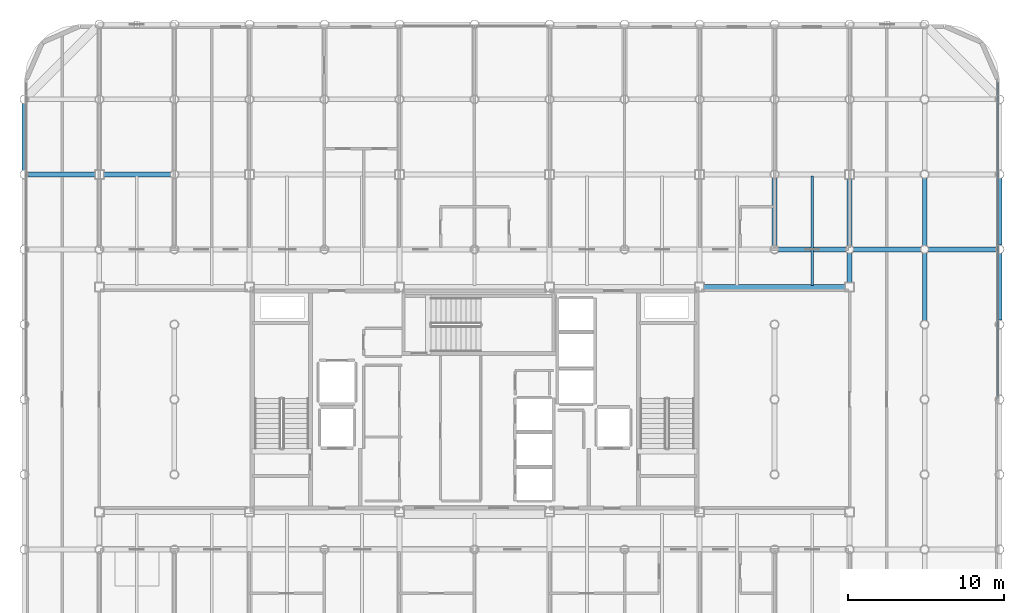
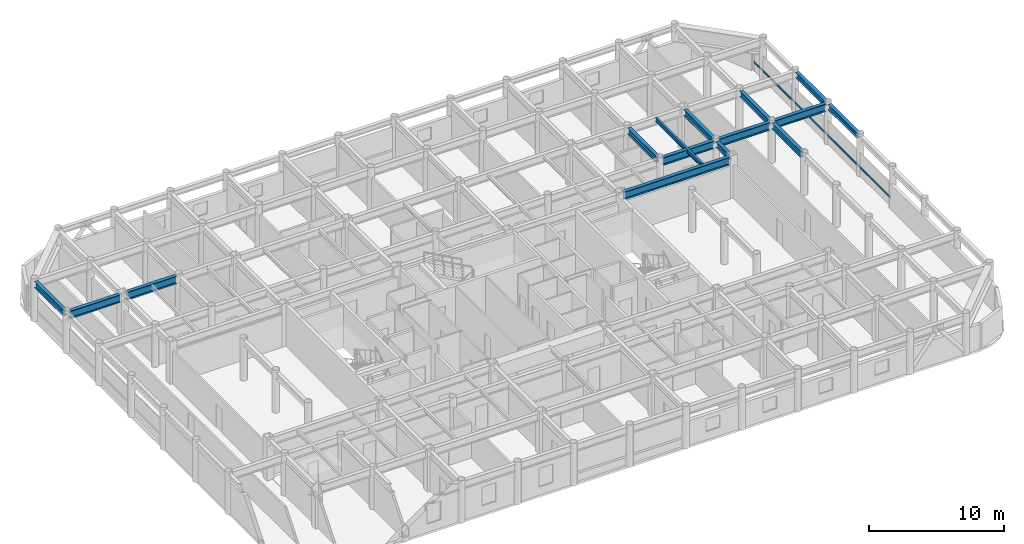
# One storey, part 11 of 24: 15 beams, 1 member, 1 element without a shape of its own.
"""IFC4 building model written with IfcOpenShell, lengths in metres."""

from ifc_helpers import new_model, si_unit, direction, frame, origin, origin_2d, place, context, subcontext, project, spatial, hollow_rectangle, i_section, extrude, material, layer, layer_set, material_profile, profile_set, type_object, element, aggregate, save


model = new_model("IFC4")

# Units and contexts
model_context = context("Model", 3, precision=1e-05, world=origin(), true_north=direction((0.0, 1.0)))
body_context = subcontext(model_context, "Body", "Model", "MODEL_VIEW")
ifc_project = project(units=[si_unit("LENGTHUNIT", "METRE"), si_unit("AREAUNIT", "SQUARE_METRE"), si_unit("VOLUMEUNIT", "CUBIC_METRE"), si_unit("PLANEANGLEUNIT", "RADIAN"), si_unit("MASSUNIT", "GRAM", prefix="KILO")], contexts=[model_context])

# Site, building, storey
site_placement = place(None, origin())
site = spatial("IfcSite", under=ifc_project, at=site_placement, CompositionType="ELEMENT")
building_placement = place(site_placement, origin())
building = spatial("IfcBuilding", under=site, at=building_placement, Name="Kallvorn Hotel Tower", CompositionType="ELEMENT")
storey_placement = place(building_placement, frame((0.0, 0.0, 233.85009765625)))
storey = spatial("IfcBuildingStorey", under=building, at=storey_placement, Name="L58", CompositionType="ELEMENT", Elevation=233.85009765625)

# Beams
ifc_material_1 = material(Name="Structural steel S355JR", Category="steel")
ifc_material_profile_1 = material_profile(ifc_material_1, i_section(OverallWidth=0.300048828125, OverallDepth=0.5, WebThickness=0.014404296875, FlangeThickness=0.028076171875, at=origin_2d()), Name="HE 500 B")
ifc_profile_set_1 = profile_set([ifc_material_profile_1], Name="Structural steel S355JR")
beam_type_1 = type_object("IfcBeamType", Name="BM_HE500B", PredefinedType="SPANDREL", material=ifc_profile_set_1)
beam_1_placement = place(storey_placement, frame((33.60009765625, 5.069580078125, 3.419921875), z_axis=(0.0, 1.0, 0.0), x_axis=(-1.0, 0.0, 0.0)))
element("IfcBeam", 1, at=beam_1_placement, inside=storey, type_object=beam_type_1, Name="L59 Perimeter Spandrel 186", PredefinedType="SPANDREL", context=body_context, shape_type="SweptSolid", body=[
    extrude(i_section(OverallWidth=0.300048828125, OverallDepth=0.5, WebThickness=0.014404296875, FlangeThickness=0.028076171875, at=origin_2d()), origin(), (0.0, 0.0, 1.0), 4.260986328125),
])
beam_2_placement = place(storey_placement, frame((33.60009765625, 9.869384765625, 3.419921875), z_axis=(0.0, 1.0, 0.0), x_axis=(-1.0, 0.0, 0.0)))
element("IfcBeam", 2, at=beam_2_placement, inside=storey, type_object=beam_type_1, Name="L59 Perimeter Spandrel 187", PredefinedType="SPANDREL", context=body_context, shape_type="SweptSolid", body=[
    extrude(i_section(OverallWidth=0.300048828125, OverallDepth=0.5, WebThickness=0.014404296875, FlangeThickness=0.028076171875, at=origin_2d()), origin(), (0.0, 0.0, 1.0), 4.26123046875),
])
ifc_material_2 = material(Name="Structural steel S355JR", Category="steel")
ifc_material_profile_2 = material_profile(ifc_material_2, i_section(OverallWidth=0.300048828125, OverallDepth=0.550048828125, WebThickness=0.014892578125, FlangeThickness=0.029052734375, at=origin_2d()), Name="HE 550 B")
ifc_profile_set_2 = profile_set([ifc_material_profile_2], Name="Structural steel S355JR")
beam_type_2 = type_object("IfcBeamType", Name="BM_HE550B", PredefinedType="SPANDREL", material=ifc_profile_set_2)
for number, where, z_axis, x_axis, name in (
    (3, (-28.800048828125, 14.654541015625, 3.39501953125), (0.0, 1.0, 0.0), (-1.0, 0.0, 0.0), "L59 Primary Y-Girder 80"),
    (4, (19.199951171875, 9.8544921875, 3.39501953125), (0.0, 1.0, 0.0), (-1.0, 0.0, 0.0), "L59 Primary Y-Girder 132"),
):
    element("IfcBeam", number, at=place(storey_placement, frame(where, z_axis=z_axis, x_axis=x_axis)), inside=storey, type_object=beam_type_2, Name=name, PredefinedType="SPANDREL", context=body_context, shape_type="SweptSolid", body=[
        extrude(i_section(OverallWidth=0.300048828125, OverallDepth=0.550048828125, WebThickness=0.014892578125, FlangeThickness=0.029052734375, at=origin_2d()), origin(), (0.0, 0.0, 1.0), 4.291015625),
    ])
beam_3_placement = place(storey_placement, frame((24.0, 7.47509765625, 3.39501953125), z_axis=(0.0, 1.0, 0.0), x_axis=(-1.0, 0.0, 0.0)))
element("IfcBeam", 5, at=beam_3_placement, inside=storey, type_object=beam_type_2, Name="L59 Primary Y-Girder 138", PredefinedType="SPANDREL", context=body_context, shape_type="SweptSolid", body=[
    extrude(i_section(OverallWidth=0.300048828125, OverallDepth=0.550048828125, WebThickness=0.014892578125, FlangeThickness=0.029052734375, at=origin_2d()), origin(), (0.0, 0.0, 1.0), 1.870361328125),
])
beam_4_placement = place(storey_placement, frame((24.0, 9.8544921875, 3.39501953125), z_axis=(0.0, 1.0, 0.0), x_axis=(-1.0, 0.0, 0.0)))
element("IfcBeam", 6, at=beam_4_placement, inside=storey, type_object=beam_type_2, Name="L59 Primary Y-Girder 139", PredefinedType="SPANDREL", context=body_context, shape_type="SweptSolid", body=[
    extrude(i_section(OverallWidth=0.300048828125, OverallDepth=0.550048828125, WebThickness=0.014892578125, FlangeThickness=0.029052734375, at=origin_2d()), origin(), (0.0, 0.0, 1.0), 4.2705078125),
])
for number, where, z_axis, x_axis, name in (
    (7, (28.800048828125, 5.054443359375, 3.39501953125), (0.0, 1.0, 0.0), (-1.0, 0.0, 0.0), "L59 Primary Y-Girder 147"),
    (8, (28.800048828125, 9.8544921875, 3.39501953125), (0.0, 1.0, 0.0), (-1.0, 0.0, 0.0), "L59 Primary Y-Girder 148"),
):
    element("IfcBeam", number, at=place(storey_placement, frame(where, z_axis=z_axis, x_axis=x_axis)), inside=storey, type_object=beam_type_2, Name=name, PredefinedType="SPANDREL", context=body_context, shape_type="SweptSolid", body=[
        extrude(i_section(OverallWidth=0.300048828125, OverallDepth=0.550048828125, WebThickness=0.014892578125, FlangeThickness=0.029052734375, at=origin_2d()), origin(), (0.0, 0.0, 1.0), 4.291015625),
    ])
ifc_material_3 = material(Name="Structural steel S355JR", Category="steel")
ifc_material_profile_3 = material_profile(ifc_material_3, i_section(OverallWidth=0.300048828125, OverallDepth=0.699951171875, WebThickness=0.01708984375, FlangeThickness=0.031982421875, at=origin_2d()), Name="HE 700 B")
ifc_profile_set_3 = profile_set([ifc_material_profile_3], Name="Structural steel S355JR")
beam_type_3 = type_object("IfcBeamType", Name="BM_HE700B", PredefinedType="BEAM", material=ifc_profile_set_3)
beam_5_placement = place(storey_placement, frame((14.675048828125, 7.199951171875, 3.31982421875), z_axis=(1.0, 0.0, 0.0), x_axis=(0.0, 1.0, 0.0)))
element("IfcBeam", 9, at=beam_5_placement, inside=storey, type_object=beam_type_3, Name="L59 Primary X-Girder 40", PredefinedType="BEAM", context=body_context, shape_type="SweptSolid", body=[
    extrude(i_section(OverallWidth=0.300048828125, OverallDepth=0.699951171875, WebThickness=0.01708984375, FlangeThickness=0.031982421875, at=origin_2d()), origin(), (0.0, 0.0, 1.0), 9.050048828125),
])
for number, where, z_axis, x_axis, name in (
    (10, (19.45458984375, 9.60009765625, 3.31982421875), (1.0, 0.0, 0.0), (0.0, 1.0, 0.0), "L59 Primary X-Girder 47"),
    (11, (24.25439453125, 9.60009765625, 3.31982421875), (1.0, 0.0, 0.0), (0.0, 1.0, 0.0), "L59 Primary X-Girder 48"),
    (12, (29.054443359375, 9.60009765625, 3.31982421875), (1.0, 0.0, 0.0), (0.0, 1.0, 0.0), "L59 Primary X-Girder 49"),
):
    element("IfcBeam", number, at=place(storey_placement, frame(where, z_axis=z_axis, x_axis=x_axis)), inside=storey, type_object=beam_type_3, Name=name, PredefinedType="BEAM", context=body_context, shape_type="SweptSolid", body=[
        extrude(i_section(OverallWidth=0.300048828125, OverallDepth=0.699951171875, WebThickness=0.01708984375, FlangeThickness=0.031982421875, at=origin_2d()), origin(), (0.0, 0.0, 1.0), 4.291015625),
    ])
for number, where, z_axis, x_axis, name in (
    (13, (-28.54541015625, 14.39990234375, 3.31982421875), (1.0, 0.0, 0.0), (0.0, 1.0, 0.0), "L59 Primary X-Girder 50"),
    (14, (-23.72509765625, 14.39990234375, 3.31982421875), (1.0, 0.0, 0.0), (0.0, 1.0, 0.0), "L59 Primary X-Girder 51"),
):
    element("IfcBeam", number, at=place(storey_placement, frame(where, z_axis=z_axis, x_axis=x_axis)), inside=storey, type_object=beam_type_3, Name=name, PredefinedType="BEAM", context=body_context, shape_type="SweptSolid", body=[
        extrude(i_section(OverallWidth=0.300048828125, OverallDepth=0.699951171875, WebThickness=0.01708984375, FlangeThickness=0.031982421875, at=origin_2d()), origin(), (0.0, 0.0, 1.0), 4.2705078125),
    ])
ifc_material_4 = material(Name="Structural steel S355JR", Category="steel")
ifc_material_profile_4 = material_profile(ifc_material_4, i_section(OverallWidth=0.169921875, OverallDepth=0.360107421875, WebThickness=0.008056640625, FlangeThickness=0.0126953125, at=origin_2d()), Name="IPE 360")
ifc_profile_set_4 = profile_set([ifc_material_profile_4], Name="Structural steel S355JR")
beam_type_4 = type_object("IfcBeamType", Name="BM_IPE360", PredefinedType="JOIST", material=ifc_profile_set_4)
beam_6_placement = place(storey_placement, frame((21.60009765625, 7.300048828125, 3.489990234375), z_axis=(0.0, 1.0, 0.0), x_axis=(-1.0, 0.0, 0.0)))
element("IfcBeam", 15, at=beam_6_placement, inside=storey, type_object=beam_type_4, Name="L59 Secondary Composite Joist 209", PredefinedType="JOIST", context=body_context, shape_type="SweptSolid", body=[
    extrude(i_section(OverallWidth=0.169921875, OverallDepth=0.360107421875, WebThickness=0.008056640625, FlangeThickness=0.0126953125, at=origin_2d()), origin(), (0.0, 0.0, 1.0), 7.0),
])

# Curtain wall, member
ifc_material_5 = material(Name="Thermally broken black-anodised aluminium AA 6063-T6", Category="aluminium")
ifc_layer = layer(ifc_material_5, 0.22998046875)
ifc_layer_set = layer_set([ifc_layer], Name="CW_SYS_5_HOTEL_HIGH")
curtain_wall_type = type_object("IfcCurtainWallType", Name="CW_SYS_5_HOTEL_HIGH", PredefinedType="USERDEFINED", material=ifc_layer_set)
curtain_wall_placement = place(storey_placement, origin())
curtain_wall = element("IfcCurtainWall", 16, at=curtain_wall_placement, inside=storey, type_object=curtain_wall_type, Name="L58 Dark-Glass Curtain Wall CW-L58-EN", ObjectType="UNITISED CURTAIN WALL", PredefinedType="USERDEFINED")
ifc_material_6 = material(Name="Thermally broken black-anodised aluminium AA 6063-T6", Category="aluminium")
ifc_material_profile_5 = material_profile(ifc_material_6, hollow_rectangle(XDim=0.070068359375, YDim=0.179931640625, WallThickness=0.00390625, at=origin_2d()), Name="TRN 180x70")
ifc_profile_set_5 = profile_set([ifc_material_profile_5], Name="Thermally broken black-anodised aluminium AA 6063-T6")
member_type = type_object("IfcMemberType", Name="CW_TRANSOM_180x70", PredefinedType="USERDEFINED", material=ifc_profile_set_5)
member_placement = place(storey_placement, frame((33.47998046875, 0.06005859375, 0.849853515625), z_axis=(0.0, 1.0, 0.0), x_axis=(-1.0, 0.0, 0.0)))
member = element("IfcMember", 17, at=member_placement, type_object=member_type, Name="CW-L58-EN Transom 00M", ObjectType="TRANSOM", PredefinedType="USERDEFINED", context=body_context, shape_type="SweptSolid", body=[
    extrude(hollow_rectangle(XDim=0.070068359375, YDim=0.179931640625, WallThickness=0.00390625, at=origin_2d()), origin(), (0.0, 0.0, 1.0), 20.300048828125),
])
aggregate(curtain_wall, [member])

save(model, "model.ifc")
